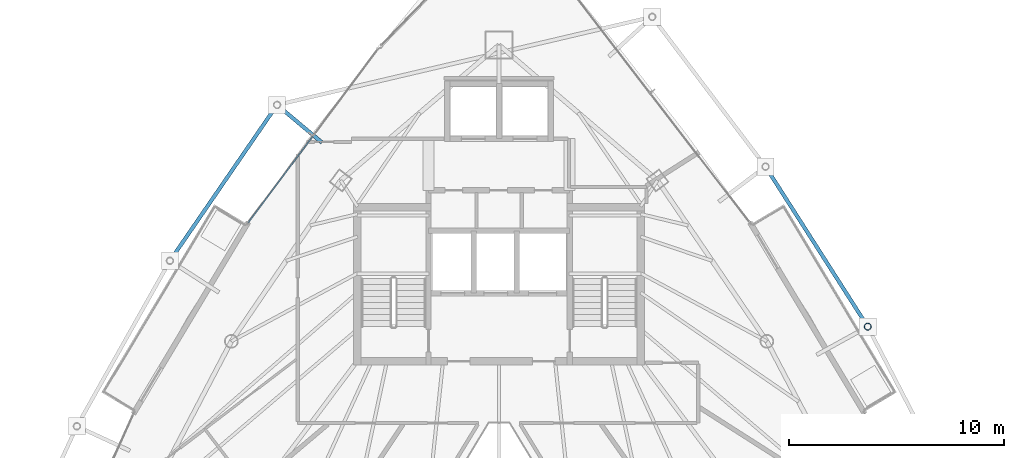
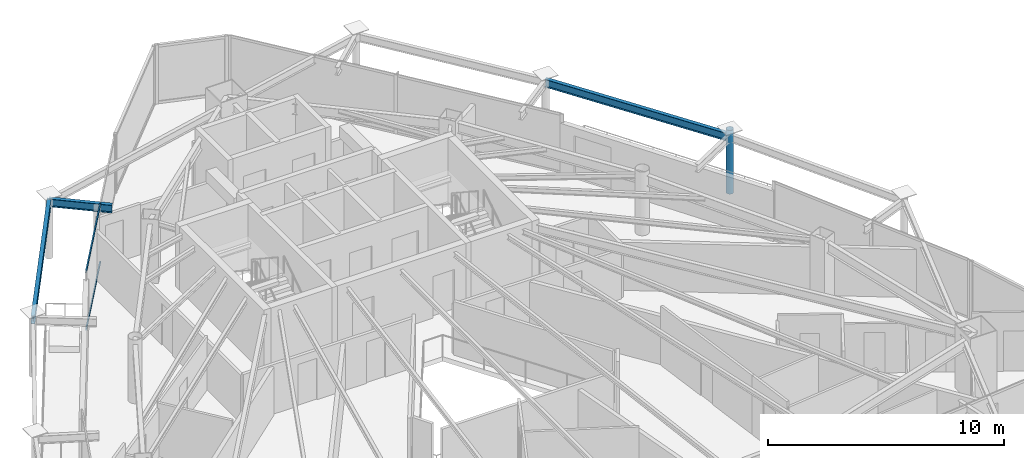
# One storey, part 22 of 33: 3 beams, 3 members, 1 element without a shape of its own.
"""IFC4 building model written with IfcOpenShell, lengths in metres."""

from ifc_helpers import new_model, si_unit, direction, frame, origin, origin_2d, place, context, subcontext, project, spatial, hollow_rectangle, hollow_circle, i_section, extrude, material, layer, layer_set, material_profile, profile_set, type_object, element, aggregate, save


model = new_model("IFC4")

# Units and contexts
model_context = context("Model", 3, precision=1e-05, world=origin(), true_north=direction((0.0, 1.0)))
body_context = subcontext(model_context, "Body", "Model", "MODEL_VIEW")
ifc_project = project(units=[si_unit("LENGTHUNIT", "METRE"), si_unit("AREAUNIT", "SQUARE_METRE"), si_unit("VOLUMEUNIT", "CUBIC_METRE"), si_unit("PLANEANGLEUNIT", "RADIAN"), si_unit("MASSUNIT", "GRAM", prefix="KILO")], contexts=[model_context])

# Site, building, storey
site_placement = place(None, origin())
site = spatial("IfcSite", under=ifc_project, at=site_placement, CompositionType="ELEMENT")
building_placement = place(site_placement, origin())
building = spatial("IfcBuilding", under=site, at=building_placement, Name="Orvanel Arch Residences", CompositionType="ELEMENT")
storey_placement = place(building_placement, frame((0.0, 0.0, 212.89990234375)))
storey = spatial("IfcBuildingStorey", under=building, at=storey_placement, Name="L60", CompositionType="ELEMENT", Elevation=212.89990234375)

# Beams
ifc_material_1 = material(Name="Structural steel AS/NZS 3679.1 Grade 300 (300 MPa)", Category="steel")
ifc_material_profile_1 = material_profile(ifc_material_1, i_section(OverallWidth=0.177978515625, OverallDepth=0.406005859375, WebThickness=0.0078125, FlangeThickness=0.0126953125, at=origin_2d()), Name="410UB59.7")
ifc_profile_set_1 = profile_set([ifc_material_profile_1], Name="Structural steel AS/NZS 3679.1 Grade 300 (300 MPa)")
beam_type = type_object("IfcBeamType", Name="OB-410UB-EXT", PredefinedType="SPANDREL", material=ifc_profile_set_1)
beam_1_placement = place(storey_placement, frame((24.77490234375, 36.87109375, 2.857177734375), z_axis=(-0.766073040442, 0.642753527185, 0.0), x_axis=(-0.642753527185, -0.766073040442, 0.0)))
element("IfcBeam", 1, at=beam_1_placement, inside=storey, type_object=beam_type, Name="L60 Outer Frame Radial Tie Beam 01", PredefinedType="SPANDREL", context=body_context, shape_type="SweptSolid", body=[
    extrude(i_section(OverallWidth=0.177978515625, OverallDepth=0.406005859375, WebThickness=0.0078125, FlangeThickness=0.0126953125, at=origin_2d()), origin(), (0.0, 0.0, 1.0), 2.71630859375),
])
beam_2_placement = place(storey_placement, frame((22.694091796875, 38.616943359375, 2.857177734375), z_axis=(-0.566488701146, -0.824069506458, 0.0), x_axis=(0.824069506458, -0.566488701146, 0.0)))
element("IfcBeam", 2, at=beam_2_placement, inside=storey, type_object=beam_type, Name="L60 Outer Perimeter Floor Ring Beam 01", PredefinedType="SPANDREL", context=body_context, shape_type="SweptSolid", body=[
    extrude(i_section(OverallWidth=0.177978515625, OverallDepth=0.406005859375, WebThickness=0.0078125, FlangeThickness=0.0126953125, at=origin_2d()), origin(), (0.0, 0.0, 1.0), 8.780517578125),
])
beam_3_placement = place(storey_placement, frame((50.114990234375, 28.322021484375, 2.857177734375), z_axis=(-0.538374527033, 0.842705683286, 0.0), x_axis=(-0.842705683286, -0.538374527033, 0.0)))
element("IfcBeam", 3, at=beam_3_placement, inside=storey, type_object=beam_type, Name="L60 Outer Perimeter Floor Ring Beam 10", PredefinedType="SPANDREL", context=body_context, shape_type="SweptSolid", body=[
    extrude(i_section(OverallWidth=0.177978515625, OverallDepth=0.406005859375, WebThickness=0.0078125, FlangeThickness=0.0126953125, at=origin_2d()), origin(), (0.0, 0.0, 1.0), 8.815673828125),
])

# Member
ifc_material_2 = material(Name="Structural steel AS/NZS 1163 C350L0 (Grade 350)", Category="steel")
ifc_material_profile_2 = material_profile(ifc_material_2, hollow_circle(Radius=0.162109375, WallThickness=0.0126953125, at=origin_2d()), Name="CHS324x12.7")
ifc_profile_set_2 = profile_set([ifc_material_profile_2], Name="Structural steel AS/NZS 1163 C350L0 (Grade 350)")
member_type_1 = type_object("IfcMemberType", Name="ST-324CHS-EXT", PredefinedType="STRUT", material=ifc_profile_set_2)
member_1_placement = place(storey_placement, frame((50.114990234375, 28.322021484375, 0.0), z_axis=(0.0, 0.0, 1.0), x_axis=(1.0, 0.0, 0.0)))
element("IfcMember", 4, at=member_1_placement, inside=storey, type_object=member_type_1, Name="L60 Outer Perimeter Frame Post 10", PredefinedType="STRUT", context=body_context, shape_type="SweptSolid", body=[
    extrude(hollow_circle(Radius=0.162109375, WallThickness=0.0126953125, at=origin_2d()), origin(), (0.0, 0.0, 1.0), 3.300048828125),
])

# Curtain wall, members
ifc_material_3 = material(Name="Bronze-anodised aluminium AA6063-T6", Category="aluminium")
ifc_layer = layer(ifc_material_3, 0.175048828125)
ifc_layer_set = layer_set([ifc_layer], Name="Bronze-anodised aluminium AA6063-T6")
curtain_wall_type = type_object("IfcCurtainWallType", Name="CW4-HI-SYS", PredefinedType="NOTDEFINED", material=ifc_layer_set)
curtain_wall_placement = place(storey_placement, origin())
curtain_wall = element("IfcCurtainWall", 5, at=curtain_wall_placement, inside=storey, type_object=curtain_wall_type, Name="L60 CW4-HI-SYS Unitised Curtain Wall", PredefinedType="NOTDEFINED")
ifc_material_profile_3 = material_profile(ifc_material_3, hollow_rectangle(XDim=0.06005859375, YDim=0.1201171875, WallThickness=0.00341796875, at=origin_2d()), Name="ALU120x60x3.5")
ifc_profile_set_3 = profile_set([ifc_material_profile_3], Name="Bronze-anodised aluminium AA6063-T6")
member_type_2 = type_object("IfcMemberType", Name="TRN-120x60", PredefinedType="USERDEFINED", material=ifc_profile_set_3)
member_2_placement = place(storey_placement, frame((24.34814453125, 37.154052734375, 0.030029296875), z_axis=(-0.599155454717, -0.800632712973, 0.0), x_axis=(0.800632712973, -0.599155454717, 0.0)))
member_2 = element("IfcMember", 6, at=member_2_placement, type_object=member_type_2, Name="CW-S4 transom 2.1", ObjectType="TRANSOM", PredefinedType="USERDEFINED", context=body_context, shape_type="SweptSolid", body=[
    extrude(hollow_rectangle(XDim=0.06005859375, YDim=0.1201171875, WallThickness=0.00341796875, at=origin_2d()), origin(), (0.0, 0.0, 1.0), 4.997314453125),
])
member_3_placement = place(storey_placement, frame((24.34814453125, 37.154052734375, 3.030029296875), z_axis=(-0.599155454717, -0.800632712973, 0.0), x_axis=(0.800632712973, -0.599155454717, 0.0)))
member_3 = element("IfcMember", 7, at=member_3_placement, type_object=member_type_2, Name="CW-S4 transom 2.2", ObjectType="TRANSOM", PredefinedType="USERDEFINED", context=body_context, shape_type="SweptSolid", body=[
    extrude(hollow_rectangle(XDim=0.06005859375, YDim=0.1201171875, WallThickness=0.00341796875, at=origin_2d()), origin(), (0.0, 0.0, 1.0), 4.997314453125),
])
aggregate(curtain_wall, [member_2, member_3])

save(model, "model.ifc")
